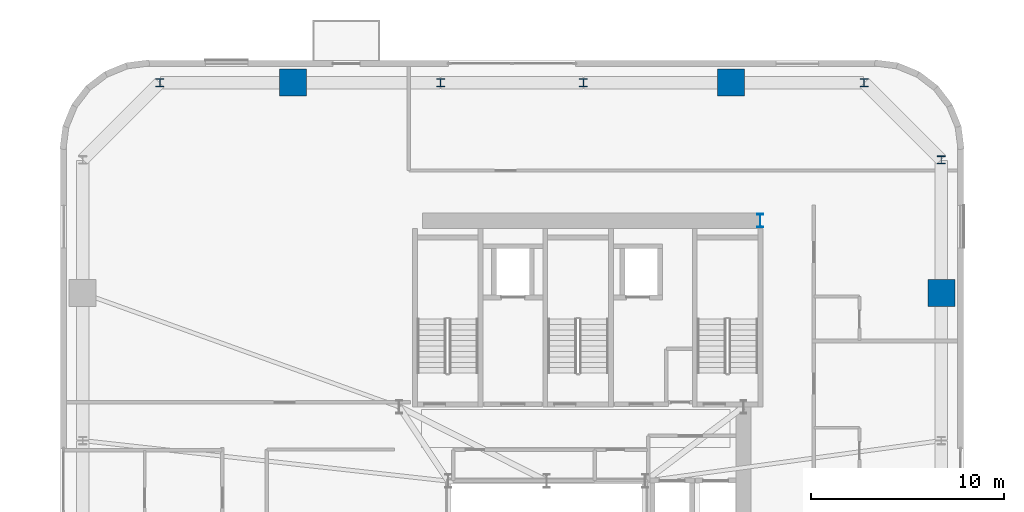
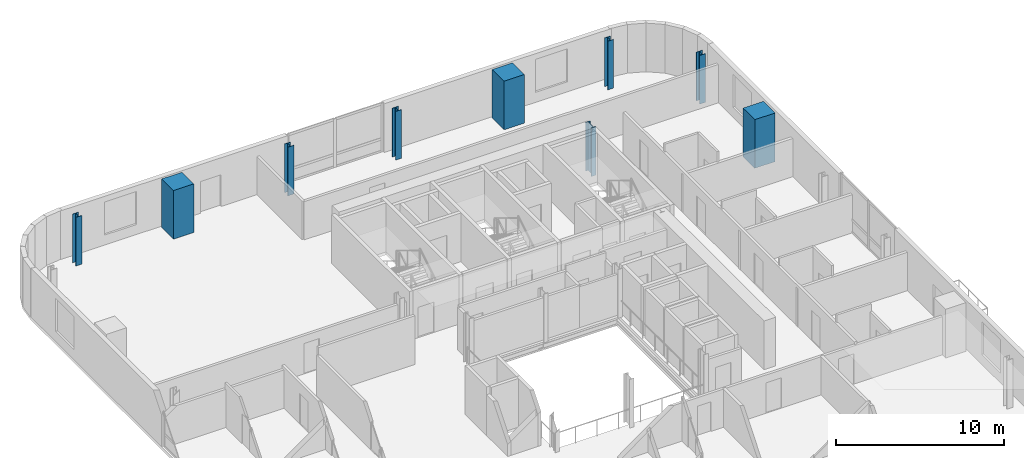
# One storey, part 2 of 16: 9 columns.
"""IFC4 building model written with IfcOpenShell, lengths in metres."""

from ifc_helpers import new_model, si_unit, direction, frame, origin, origin_2d, place, context, subcontext, project, spatial, rectangle, i_section, extrude, source, transform, mapped, material, material_profile, profile_set, type_object, element, save


model = new_model("IFC4")

# Units and contexts
model_context = context("Model", 3, precision=1e-05, world=origin(), true_north=direction((0.0, 1.0)))
body_context = subcontext(model_context, "Body", "Model", "MODEL_VIEW")
ifc_project = project(units=[si_unit("LENGTHUNIT", "METRE"), si_unit("AREAUNIT", "SQUARE_METRE"), si_unit("VOLUMEUNIT", "CUBIC_METRE"), si_unit("PLANEANGLEUNIT", "RADIAN"), si_unit("MASSUNIT", "GRAM", prefix="KILO")], contexts=[model_context])

# Site, building, storey
site_placement = place(None, origin())
site = spatial("IfcSite", under=ifc_project, at=site_placement, CompositionType="ELEMENT")
building_placement = place(site_placement, origin())
building = spatial("IfcBuilding", under=site, at=building_placement, Name="Vardaveli Station Tower", CompositionType="ELEMENT")
storey_placement = place(building_placement, frame((0.0, 0.0, 199.800048828125)))
storey = spatial("IfcBuildingStorey", under=building, at=storey_placement, Name="L51", CompositionType="ELEMENT", Elevation=199.800048828125)

# Columns
ifc_material_1 = material(Name="Structural steel S460M", Category="steel")
ifc_material_profile_1 = material_profile(ifc_material_1, i_section(OverallWidth=0.300048828125, OverallDepth=0.699951171875, WebThickness=0.01708984375, FlangeThickness=0.031982421875, FilletRadius=0.027099609375, at=origin_2d()), Name="HEB 700")
ifc_profile_set_1 = profile_set([ifc_material_profile_1], Name="Structural steel S460M")
column_type_1 = type_object("IfcColumnType", Name="COL-HEB700", PredefinedType="COLUMN", material=ifc_profile_set_1)
shared_shape_1 = source(origin(), body_context, "Body", "SweptSolid", [
    extrude(i_section(OverallWidth=0.300048828125, OverallDepth=0.699951171875, WebThickness=0.01708984375, FlangeThickness=0.031982421875, FilletRadius=0.027099609375, at=origin_2d()), origin(), (0.0, 0.0, 1.0), 3.530029296875),
])
column_placement = place(storey_placement, frame((47.3701171875, 40.300048828125, 0.0), z_axis=(0.0, 0.0, 1.0), x_axis=(1.0, 0.0, 0.0)))
element("IfcColumn", 1, at=column_placement, inside=storey, type_object=column_type_1, Name="COL-L51-CC3", PredefinedType="COLUMN", context=body_context, shape_type="MappedRepresentation", body=[
    mapped(shared_shape_1, transform((0.0, 0.0, 0.0), scale=1.0)),
])
ifc_material_2 = material(Name="Concrete C50/60", Category="concrete")
ifc_material_profile_2 = material_profile(ifc_material_2, rectangle(XDim=1.39990234375, YDim=1.39990234375, at=origin_2d()), Name="MC 1400x1400")
ifc_profile_set_2 = profile_set([ifc_material_profile_2], Name="Concrete C50/60")
column_type_2 = type_object("IfcColumnType", Name="COL-MC-1400", PredefinedType="COLUMN", material=ifc_profile_set_2)
shared_shape_2 = source(origin(), body_context, "Body", "SweptSolid", [
    extrude(rectangle(XDim=1.39990234375, YDim=1.39990234375, at=origin_2d()), origin(), (0.0, 0.0, 1.0), 3.530029296875),
])
for number, where, z_axis, x_axis, name in (
    (2, (56.75, 36.5400390625, 0.0), (0.0, 0.0, 1.0), (1.0, 0.0, 0.0), "COL-L51-MC4"),
    (3, (45.840087890625, 47.449951171875, 0.0), (0.0, 0.0, 1.0), (1.0, 0.0, 0.0), "COL-L51-MC5"),
    (4, (23.159912109375, 47.449951171875, 0.0), (0.0, 0.0, 1.0), (1.0, 0.0, 0.0), "COL-L51-MC6"),
):
    element("IfcColumn", number, at=place(storey_placement, frame(where, z_axis=z_axis, x_axis=x_axis)), inside=storey, type_object=column_type_2, Name=name, PredefinedType="COLUMN", context=body_context, shape_type="MappedRepresentation", body=[
        mapped(shared_shape_2, transform((0.0, 0.0, 0.0), scale=1.0)),
    ])
ifc_material_profile_3 = material_profile(ifc_material_1, i_section(OverallWidth=0.408935546875, OverallDepth=0.4169921875, WebThickness=0.021240234375, FlangeThickness=0.033203125, FilletRadius=0.014892578125, at=origin_2d()), Name="HD 400x347")
ifc_profile_set_3 = profile_set([ifc_material_profile_3], Name="Structural steel S460M")
column_type_3 = type_object("IfcColumnType", Name="COL-HD347", PredefinedType="COLUMN", material=ifc_profile_set_3)
shared_shape_3 = source(origin(), body_context, "Body", "SweptSolid", [
    extrude(i_section(OverallWidth=0.408935546875, OverallDepth=0.4169921875, WebThickness=0.021240234375, FlangeThickness=0.033203125, FilletRadius=0.014892578125, at=origin_2d()), origin(), (0.0, 0.0, 1.0), 3.530029296875),
])
for number, where, z_axis, x_axis, name in (
    (5, (56.75, 43.449951171875, 0.0), (0.0, 0.0, 1.0), (1.0, 0.0, 0.0), "COL-L51-PC08"),
    (6, (52.75, 47.449951171875, 0.0), (0.0, 0.0, 1.0), (1.0, 0.0, 0.0), "COL-L51-PC09"),
    (7, (38.199951171875, 47.449951171875, 0.0), (0.0, 0.0, 1.0), (1.0, 0.0, 0.0), "COL-L51-PC10"),
    (8, (30.800048828125, 47.449951171875, 0.0), (0.0, 0.0, 1.0), (1.0, 0.0, 0.0), "COL-L51-PC11"),
    (9, (16.25, 47.449951171875, 0.0), (0.0, 0.0, 1.0), (1.0, 0.0, 0.0), "COL-L51-PC12"),
):
    element("IfcColumn", number, at=place(storey_placement, frame(where, z_axis=z_axis, x_axis=x_axis)), inside=storey, type_object=column_type_3, Name=name, PredefinedType="COLUMN", context=body_context, shape_type="MappedRepresentation", body=[
        mapped(shared_shape_3, transform((0.0, 0.0, 0.0), scale=1.0)),
    ])

save(model, "model.ifc")
